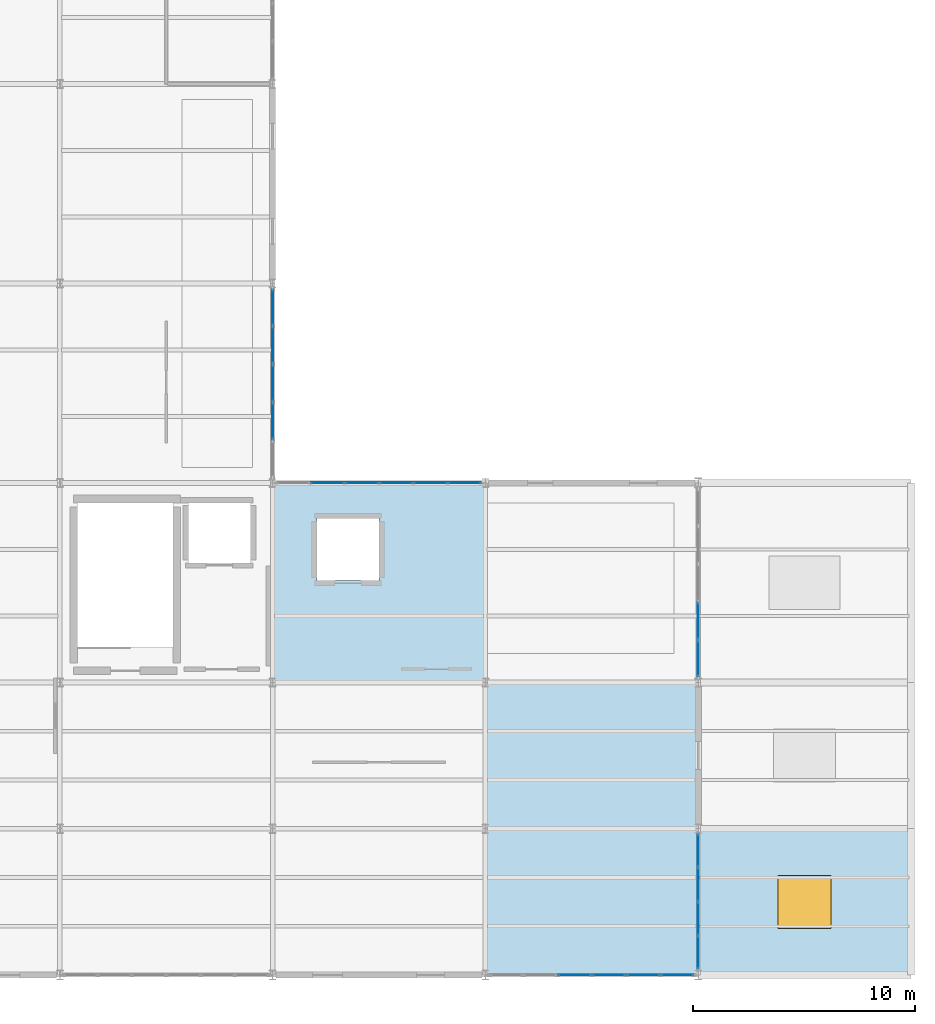
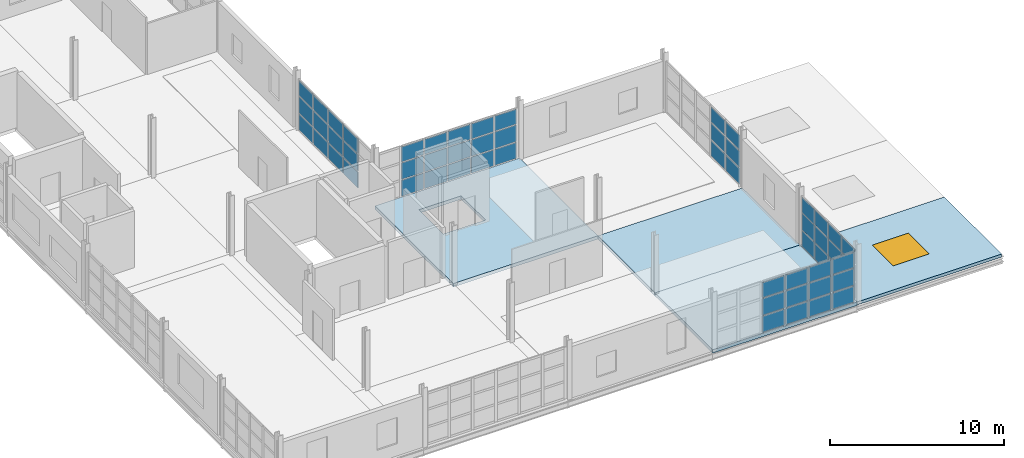
# One storey, part 11 of 15: 57 plates, 4 slabs, 1 window, 1 opening, 5 elements without a shape of their own.
"""IFC4 building model written with IfcOpenShell, lengths in metres."""

from ifc_helpers import new_model, si_unit, direction, frame, origin, origin_2d, place, context, subcontext, project, spatial, polyline, rectangle, outline, extrude, material, layer, layer_set, type_object, element, fill, aggregate, save


model = new_model("IFC4")

# Units and contexts
model_context = context("Model", 3, precision=1e-05, world=origin(), true_north=direction((0.0, 1.0)))
body_context = subcontext(model_context, "Body", "Model", "MODEL_VIEW")
ifc_project = project(units=[si_unit("LENGTHUNIT", "METRE"), si_unit("AREAUNIT", "SQUARE_METRE"), si_unit("VOLUMEUNIT", "CUBIC_METRE"), si_unit("PLANEANGLEUNIT", "RADIAN"), si_unit("MASSUNIT", "GRAM", prefix="KILO")], contexts=[model_context])

# Site, building, storey
site_placement = place(None, origin())
site = spatial("IfcSite", under=ifc_project, at=site_placement, CompositionType="ELEMENT")
building_placement = place(site_placement, origin())
building = spatial("IfcBuilding", under=site, at=building_placement, Name="Zarnetskaya Central Station", CompositionType="ELEMENT")
storey_placement = place(building_placement, frame((0.0, 0.0, 22.800048828125)))
storey = spatial("IfcBuildingStorey", under=building, at=storey_placement, Name="L05", CompositionType="ELEMENT", Elevation=22.800048828125)

# Curtain wall, plates
ifc_material_1 = material(Name="Low-E insulated glass", Category="glass")
ifc_layer_1 = layer(ifc_material_1, 0.1640625, Name="Low-E insulated glass", Category="glass")
ifc_layer_set_1 = layer_set([ifc_layer_1], Name="Low-E insulated glass")
curtain_wall_type_1 = type_object("IfcCurtainWallType", Name="CW-SYS-07", PredefinedType="USERDEFINED", material=ifc_layer_set_1)
curtain_wall_1_placement = place(storey_placement, origin())
curtain_wall_1 = element("IfcCurtainWall", 1, at=curtain_wall_1_placement, inside=storey, type_object=curtain_wall_type_1, Name="Curtain wall CW-L05-070", ObjectType="CURTAIN WALL", PredefinedType="USERDEFINED")
ifc_layer_2 = layer(ifc_material_1, 0.028076171875, Name="Low-E insulated glass", Category="glass")
ifc_layer_set_2 = layer_set([ifc_layer_2], Name="Low-E insulated glass")
plate_type_1 = type_object("IfcPlateType", Name="CW-PAN-28", PredefinedType="CURTAIN_PANEL", material=ifc_layer_set_2)
plate_1_placement = place(storey_placement, frame((38.39990234375, 15.972412109375, 0.079833984375), z_axis=(0.0, 0.0, 1.0), x_axis=(0.0, -1.0, 0.0)))
plate_1 = element("IfcPlate", 2, at=plate_1_placement, type_object=plate_type_1, Name="CW-06 panel 4.1", PredefinedType="CURTAIN_PANEL", context=body_context, shape_type="SweptSolid", body=[
    extrude(rectangle(XDim=1.635009765625, YDim=0.028076171875, at=origin_2d()), origin(), (0.0, 0.0, 1.0), 1.10400390625),
])
plate_2_placement = place(storey_placement, frame((38.39990234375, 15.972412109375, 1.263916015625), z_axis=(0.0, 0.0, 1.0), x_axis=(0.0, -1.0, 0.0)))
plate_2 = element("IfcPlate", 3, at=plate_2_placement, type_object=plate_type_1, Name="CW-06 panel 4.2", PredefinedType="CURTAIN_PANEL", context=body_context, shape_type="SweptSolid", body=[
    extrude(rectangle(XDim=1.635009765625, YDim=0.028076171875, at=origin_2d()), origin(), (0.0, 0.0, 1.0), 1.14404296875),
])
plate_3_placement = place(storey_placement, frame((38.39990234375, 15.972412109375, 2.48779296875), z_axis=(0.0, 0.0, 1.0), x_axis=(0.0, -1.0, 0.0)))
plate_3 = element("IfcPlate", 4, at=plate_3_placement, type_object=plate_type_1, Name="CW-06 panel 4.3", PredefinedType="CURTAIN_PANEL", context=body_context, shape_type="SweptSolid", body=[
    extrude(rectangle(XDim=1.635009765625, YDim=0.028076171875, at=origin_2d()), origin(), (0.0, 0.0, 1.0), 1.031982421875),
])
plate_4_placement = place(storey_placement, frame((38.39990234375, 14.277587890625, 0.079833984375), z_axis=(0.0, 0.0, 1.0), x_axis=(0.0, -1.0, 0.0)))
plate_4 = element("IfcPlate", 5, at=plate_4_placement, type_object=plate_type_1, Name="CW-06 panel 5.1", PredefinedType="CURTAIN_PANEL", context=body_context, shape_type="SweptSolid", body=[
    extrude(rectangle(XDim=1.594970703125, YDim=0.028076171875, at=origin_2d()), origin(), (0.0, 0.0, 1.0), 1.10400390625),
])
plate_5_placement = place(storey_placement, frame((38.39990234375, 14.277587890625, 1.263916015625), z_axis=(0.0, 0.0, 1.0), x_axis=(0.0, -1.0, 0.0)))
plate_5 = element("IfcPlate", 6, at=plate_5_placement, type_object=plate_type_1, Name="CW-06 panel 5.2", PredefinedType="CURTAIN_PANEL", context=body_context, shape_type="SweptSolid", body=[
    extrude(rectangle(XDim=1.594970703125, YDim=0.028076171875, at=origin_2d()), origin(), (0.0, 0.0, 1.0), 1.14404296875),
])
plate_6_placement = place(storey_placement, frame((38.39990234375, 14.277587890625, 2.48779296875), z_axis=(0.0, 0.0, 1.0), x_axis=(0.0, -1.0, 0.0)))
plate_6 = element("IfcPlate", 7, at=plate_6_placement, type_object=plate_type_1, Name="CW-06 panel 5.3", PredefinedType="CURTAIN_PANEL", context=body_context, shape_type="SweptSolid", body=[
    extrude(rectangle(XDim=1.594970703125, YDim=0.028076171875, at=origin_2d()), origin(), (0.0, 0.0, 1.0), 1.031982421875),
])
aggregate(curtain_wall_1, [plate_1, plate_2, plate_3, plate_4, plate_5, plate_6])

ifc_layer_3 = layer(ifc_material_1, 0.172119140625, Name="Low-E insulated glass", Category="glass")
ifc_layer_set_3 = layer_set([ifc_layer_3], Name="Low-E insulated glass")
curtain_wall_type_2 = type_object("IfcCurtainWallType", Name="CW-SYS-09", PredefinedType="USERDEFINED", material=ifc_layer_set_3)
curtain_wall_2_placement = place(storey_placement, origin())
curtain_wall_2 = element("IfcCurtainWall", 8, at=curtain_wall_2_placement, inside=storey, type_object=curtain_wall_type_2, Name="Curtain wall CW-L05-071", ObjectType="CURTAIN WALL", PredefinedType="USERDEFINED")
ifc_layer_4 = layer(ifc_material_1, 0.031982421875, Name="Low-E insulated glass", Category="glass")
ifc_layer_set_4 = layer_set([ifc_layer_4], Name="Low-E insulated glass")
plate_type_2 = type_object("IfcPlateType", Name="CW-PAN-32", PredefinedType="CURTAIN_PANEL", material=ifc_layer_set_4)
plate_7_placement = place(storey_placement, frame((38.39990234375, 5.610595703125, 0.06982421875), z_axis=(0.0, 0.0, 1.0), x_axis=(0.0, -1.0, 0.0)))
plate_7 = element("IfcPlate", 9, at=plate_7_placement, type_object=plate_type_2, Name="CW-07 panel 1.1", PredefinedType="CURTAIN_PANEL", context=body_context, shape_type="SweptSolid", body=[
    extrude(rectangle(XDim=1.438720703125, YDim=0.031982421875, at=origin_2d()), origin(), (0.0, 0.0, 1.0), 1.118896484375),
])
plate_8_placement = place(storey_placement, frame((38.39990234375, 5.610595703125, 1.2587890625), z_axis=(0.0, 0.0, 1.0), x_axis=(0.0, -1.0, 0.0)))
plate_8 = element("IfcPlate", 10, at=plate_8_placement, type_object=plate_type_2, Name="CW-07 panel 1.2", PredefinedType="CURTAIN_PANEL", context=body_context, shape_type="SweptSolid", body=[
    extrude(rectangle(XDim=1.438720703125, YDim=0.031982421875, at=origin_2d()), origin(), (0.0, 0.0, 1.0), 1.154052734375),
])
plate_9_placement = place(storey_placement, frame((38.39990234375, 5.610595703125, 2.48291015625), z_axis=(0.0, 0.0, 1.0), x_axis=(0.0, -1.0, 0.0)))
plate_9 = element("IfcPlate", 11, at=plate_9_placement, type_object=plate_type_2, Name="CW-07 panel 1.3", PredefinedType="CURTAIN_PANEL", context=body_context, shape_type="SweptSolid", body=[
    extrude(rectangle(XDim=1.438720703125, YDim=0.031982421875, at=origin_2d()), origin(), (0.0, 0.0, 1.0), 1.047119140625),
])
plate_10_placement = place(storey_placement, frame((38.39990234375, 4.08447265625, 0.06982421875), z_axis=(0.0, 0.0, 1.0), x_axis=(0.0, -1.0, 0.0)))
plate_10 = element("IfcPlate", 12, at=plate_10_placement, type_object=plate_type_2, Name="CW-07 panel 2.1", PredefinedType="CURTAIN_PANEL", context=body_context, shape_type="SweptSolid", body=[
    extrude(rectangle(XDim=1.4736328125, YDim=0.031982421875, at=origin_2d()), origin(), (0.0, 0.0, 1.0), 1.118896484375),
])
plate_11_placement = place(storey_placement, frame((38.39990234375, 4.08447265625, 1.2587890625), z_axis=(0.0, 0.0, 1.0), x_axis=(0.0, -1.0, 0.0)))
plate_11 = element("IfcPlate", 13, at=plate_11_placement, type_object=plate_type_2, Name="CW-07 panel 2.2", PredefinedType="CURTAIN_PANEL", context=body_context, shape_type="SweptSolid", body=[
    extrude(rectangle(XDim=1.4736328125, YDim=0.031982421875, at=origin_2d()), origin(), (0.0, 0.0, 1.0), 1.154052734375),
])
plate_12_placement = place(storey_placement, frame((38.39990234375, 4.08447265625, 2.48291015625), z_axis=(0.0, 0.0, 1.0), x_axis=(0.0, -1.0, 0.0)))
plate_12 = element("IfcPlate", 14, at=plate_12_placement, type_object=plate_type_2, Name="CW-07 panel 2.3", PredefinedType="CURTAIN_PANEL", context=body_context, shape_type="SweptSolid", body=[
    extrude(rectangle(XDim=1.4736328125, YDim=0.031982421875, at=origin_2d()), origin(), (0.0, 0.0, 1.0), 1.047119140625),
])
plate_13_placement = place(storey_placement, frame((38.39990234375, 2.54052734375, 0.06982421875), z_axis=(0.0, 0.0, 1.0), x_axis=(0.0, -1.0, 0.0)))
plate_13 = element("IfcPlate", 15, at=plate_13_placement, type_object=plate_type_2, Name="CW-07 panel 3.1", PredefinedType="CURTAIN_PANEL", context=body_context, shape_type="SweptSolid", body=[
    extrude(rectangle(XDim=1.4736328125, YDim=0.031982421875, at=origin_2d()), origin(), (0.0, 0.0, 1.0), 1.118896484375),
])
plate_14_placement = place(storey_placement, frame((38.39990234375, 2.54052734375, 1.2587890625), z_axis=(0.0, 0.0, 1.0), x_axis=(0.0, -1.0, 0.0)))
plate_14 = element("IfcPlate", 16, at=plate_14_placement, type_object=plate_type_2, Name="CW-07 panel 3.2", PredefinedType="CURTAIN_PANEL", context=body_context, shape_type="SweptSolid", body=[
    extrude(rectangle(XDim=1.4736328125, YDim=0.031982421875, at=origin_2d()), origin(), (0.0, 0.0, 1.0), 1.154052734375),
])
plate_15_placement = place(storey_placement, frame((38.39990234375, 2.54052734375, 2.48291015625), z_axis=(0.0, 0.0, 1.0), x_axis=(0.0, -1.0, 0.0)))
plate_15 = element("IfcPlate", 17, at=plate_15_placement, type_object=plate_type_2, Name="CW-07 panel 3.3", PredefinedType="CURTAIN_PANEL", context=body_context, shape_type="SweptSolid", body=[
    extrude(rectangle(XDim=1.4736328125, YDim=0.031982421875, at=origin_2d()), origin(), (0.0, 0.0, 1.0), 1.047119140625),
])
plate_16_placement = place(storey_placement, frame((38.39990234375, 1.014404296875, 0.06982421875), z_axis=(0.0, 0.0, 1.0), x_axis=(0.0, -1.0, 0.0)))
plate_16 = element("IfcPlate", 18, at=plate_16_placement, type_object=plate_type_2, Name="CW-07 panel 4.1", PredefinedType="CURTAIN_PANEL", context=body_context, shape_type="SweptSolid", body=[
    extrude(rectangle(XDim=1.438720703125, YDim=0.031982421875, at=origin_2d()), origin(), (0.0, 0.0, 1.0), 1.118896484375),
])
plate_17_placement = place(storey_placement, frame((38.39990234375, 1.014404296875, 1.2587890625), z_axis=(0.0, 0.0, 1.0), x_axis=(0.0, -1.0, 0.0)))
plate_17 = element("IfcPlate", 19, at=plate_17_placement, type_object=plate_type_2, Name="CW-07 panel 4.2", PredefinedType="CURTAIN_PANEL", context=body_context, shape_type="SweptSolid", body=[
    extrude(rectangle(XDim=1.438720703125, YDim=0.031982421875, at=origin_2d()), origin(), (0.0, 0.0, 1.0), 1.154052734375),
])
plate_18_placement = place(storey_placement, frame((38.39990234375, 1.014404296875, 2.48291015625), z_axis=(0.0, 0.0, 1.0), x_axis=(0.0, -1.0, 0.0)))
plate_18 = element("IfcPlate", 20, at=plate_18_placement, type_object=plate_type_2, Name="CW-07 panel 4.3", PredefinedType="CURTAIN_PANEL", context=body_context, shape_type="SweptSolid", body=[
    extrude(rectangle(XDim=1.438720703125, YDim=0.031982421875, at=origin_2d()), origin(), (0.0, 0.0, 1.0), 1.047119140625),
])
aggregate(curtain_wall_2, [plate_7, plate_8, plate_9, plate_10, plate_11, plate_12, plate_13, plate_14, plate_15, plate_16, plate_17, plate_18])

curtain_wall_3_placement = place(storey_placement, origin())
curtain_wall_3 = element("IfcCurtainWall", 21, at=curtain_wall_3_placement, inside=storey, type_object=curtain_wall_type_1, Name="Curtain wall CW-L05-072", ObjectType="CURTAIN WALL", PredefinedType="USERDEFINED")
ifc_layer_5 = layer(ifc_material_1, 0.035888671875, Name="Low-E insulated glass", Category="glass")
ifc_layer_set_5 = layer_set([ifc_layer_5], Name="Low-E insulated glass")
plate_type_3 = type_object("IfcPlateType", Name="CW-PAN-36", PredefinedType="CURTAIN_PANEL", material=ifc_layer_set_5)
plate_19_placement = place(storey_placement, frame((37.455078125, 0.0, 0.080078125), z_axis=(0.0, 0.0, 1.0), x_axis=(-1.0, 0.0, 0.0)))
plate_19 = element("IfcPlate", 22, at=plate_19_placement, type_object=plate_type_3, Name="CW-06 panel 1.1", PredefinedType="CURTAIN_PANEL", context=body_context, shape_type="SweptSolid", body=[
    extrude(rectangle(XDim=1.429931640625, YDim=0.035888671875, at=origin_2d()), origin(), (0.0, 0.0, 1.0), 1.117919921875),
])
plate_20_placement = place(storey_placement, frame((37.455078125, 0.0, 1.27783203125), z_axis=(0.0, 0.0, 1.0), x_axis=(-1.0, 0.0, 0.0)))
plate_20 = element("IfcPlate", 23, at=plate_20_placement, type_object=plate_type_3, Name="CW-06 panel 1.2", PredefinedType="CURTAIN_PANEL", context=body_context, shape_type="SweptSolid", body=[
    extrude(rectangle(XDim=1.429931640625, YDim=0.035888671875, at=origin_2d()), origin(), (0.0, 0.0, 1.0), 1.156982421875),
])
plate_21_placement = place(storey_placement, frame((37.455078125, 0.0, 2.514892578125), z_axis=(0.0, 0.0, 1.0), x_axis=(-1.0, 0.0, 0.0)))
plate_21 = element("IfcPlate", 24, at=plate_21_placement, type_object=plate_type_3, Name="CW-06 panel 1.3", PredefinedType="CURTAIN_PANEL", context=body_context, shape_type="SweptSolid", body=[
    extrude(rectangle(XDim=1.429931640625, YDim=0.035888671875, at=origin_2d()), origin(), (0.0, 0.0, 1.0), 1.044921875),
])
plate_22_placement = place(storey_placement, frame((35.925048828125, 0.0, 0.080078125), z_axis=(0.0, 0.0, 1.0), x_axis=(-1.0, 0.0, 0.0)))
plate_22 = element("IfcPlate", 25, at=plate_22_placement, type_object=plate_type_3, Name="CW-06 panel 2.1", PredefinedType="CURTAIN_PANEL", context=body_context, shape_type="SweptSolid", body=[
    extrude(rectangle(XDim=1.469970703125, YDim=0.035888671875, at=origin_2d()), origin(), (0.0, 0.0, 1.0), 1.117919921875),
])
plate_23_placement = place(storey_placement, frame((35.925048828125, 0.0, 1.27783203125), z_axis=(0.0, 0.0, 1.0), x_axis=(-1.0, 0.0, 0.0)))
plate_23 = element("IfcPlate", 26, at=plate_23_placement, type_object=plate_type_3, Name="CW-06 panel 2.2", PredefinedType="CURTAIN_PANEL", context=body_context, shape_type="SweptSolid", body=[
    extrude(rectangle(XDim=1.469970703125, YDim=0.035888671875, at=origin_2d()), origin(), (0.0, 0.0, 1.0), 1.156982421875),
])
plate_24_placement = place(storey_placement, frame((35.925048828125, 0.0, 2.514892578125), z_axis=(0.0, 0.0, 1.0), x_axis=(-1.0, 0.0, 0.0)))
plate_24 = element("IfcPlate", 27, at=plate_24_placement, type_object=plate_type_3, Name="CW-06 panel 2.3", PredefinedType="CURTAIN_PANEL", context=body_context, shape_type="SweptSolid", body=[
    extrude(rectangle(XDim=1.469970703125, YDim=0.035888671875, at=origin_2d()), origin(), (0.0, 0.0, 1.0), 1.044921875),
])
plate_25_placement = place(storey_placement, frame((34.375, 0.0, 0.080078125), z_axis=(0.0, 0.0, 1.0), x_axis=(-1.0, 0.0, 0.0)))
plate_25 = element("IfcPlate", 28, at=plate_25_placement, type_object=plate_type_3, Name="CW-06 panel 3.1", PredefinedType="CURTAIN_PANEL", context=body_context, shape_type="SweptSolid", body=[
    extrude(rectangle(XDim=1.469970703125, YDim=0.035888671875, at=origin_2d()), origin(), (0.0, 0.0, 1.0), 1.117919921875),
])
plate_26_placement = place(storey_placement, frame((34.375, 0.0, 1.27783203125), z_axis=(0.0, 0.0, 1.0), x_axis=(-1.0, 0.0, 0.0)))
plate_26 = element("IfcPlate", 29, at=plate_26_placement, type_object=plate_type_3, Name="CW-06 panel 3.2", PredefinedType="CURTAIN_PANEL", context=body_context, shape_type="SweptSolid", body=[
    extrude(rectangle(XDim=1.469970703125, YDim=0.035888671875, at=origin_2d()), origin(), (0.0, 0.0, 1.0), 1.156982421875),
])
plate_27_placement = place(storey_placement, frame((34.375, 0.0, 2.514892578125), z_axis=(0.0, 0.0, 1.0), x_axis=(-1.0, 0.0, 0.0)))
plate_27 = element("IfcPlate", 30, at=plate_27_placement, type_object=plate_type_3, Name="CW-06 panel 3.3", PredefinedType="CURTAIN_PANEL", context=body_context, shape_type="SweptSolid", body=[
    extrude(rectangle(XDim=1.469970703125, YDim=0.035888671875, at=origin_2d()), origin(), (0.0, 0.0, 1.0), 1.044921875),
])
plate_28_placement = place(storey_placement, frame((32.824951171875, 0.0, 0.080078125), z_axis=(0.0, 0.0, 1.0), x_axis=(-1.0, 0.0, 0.0)))
plate_28 = element("IfcPlate", 31, at=plate_28_placement, type_object=plate_type_3, Name="CW-06 panel 4.1", PredefinedType="CURTAIN_PANEL", context=body_context, shape_type="SweptSolid", body=[
    extrude(rectangle(XDim=1.469970703125, YDim=0.035888671875, at=origin_2d()), origin(), (0.0, 0.0, 1.0), 1.117919921875),
])
plate_29_placement = place(storey_placement, frame((32.824951171875, 0.0, 1.27783203125), z_axis=(0.0, 0.0, 1.0), x_axis=(-1.0, 0.0, 0.0)))
plate_29 = element("IfcPlate", 32, at=plate_29_placement, type_object=plate_type_3, Name="CW-06 panel 4.2", PredefinedType="CURTAIN_PANEL", context=body_context, shape_type="SweptSolid", body=[
    extrude(rectangle(XDim=1.469970703125, YDim=0.035888671875, at=origin_2d()), origin(), (0.0, 0.0, 1.0), 1.156982421875),
])
plate_30_placement = place(storey_placement, frame((32.824951171875, 0.0, 2.514892578125), z_axis=(0.0, 0.0, 1.0), x_axis=(-1.0, 0.0, 0.0)))
plate_30 = element("IfcPlate", 33, at=plate_30_placement, type_object=plate_type_3, Name="CW-06 panel 4.3", PredefinedType="CURTAIN_PANEL", context=body_context, shape_type="SweptSolid", body=[
    extrude(rectangle(XDim=1.469970703125, YDim=0.035888671875, at=origin_2d()), origin(), (0.0, 0.0, 1.0), 1.044921875),
])
aggregate(curtain_wall_3, [plate_19, plate_20, plate_21, plate_22, plate_23, plate_24, plate_25, plate_26, plate_27, plate_28, plate_29, plate_30])

curtain_wall_4_placement = place(storey_placement, origin())
curtain_wall_4 = element("IfcCurtainWall", 34, at=curtain_wall_4_placement, inside=storey, type_object=curtain_wall_type_2, Name="Curtain wall CW-L05-068", ObjectType="CURTAIN WALL", PredefinedType="USERDEFINED")
ifc_layer_6 = layer(ifc_material_1, 0.0400390625, Name="Low-E insulated glass", Category="glass")
ifc_layer_set_6 = layer_set([ifc_layer_6], Name="Low-E insulated glass")
plate_type_4 = type_object("IfcPlateType", Name="CW-PAN-40", PredefinedType="CURTAIN_PANEL", material=ifc_layer_set_6)
plate_31_placement = place(storey_placement, frame((19.199951171875, 30.1201171875, 0.079833984375), z_axis=(0.0, 0.0, 1.0), x_axis=(0.0, -1.0, 0.0)))
plate_31 = element("IfcPlate", 35, at=plate_31_placement, type_object=plate_type_4, Name="CW-07 panel 1.1", PredefinedType="CURTAIN_PANEL", context=body_context, shape_type="SweptSolid", body=[
    extrude(rectangle(XDim=1.60009765625, YDim=0.0400390625, at=origin_2d()), origin(), (0.0, 0.0, 1.0), 1.10400390625),
])
plate_32_placement = place(storey_placement, frame((19.199951171875, 30.1201171875, 1.263916015625), z_axis=(0.0, 0.0, 1.0), x_axis=(0.0, -1.0, 0.0)))
plate_32 = element("IfcPlate", 36, at=plate_32_placement, type_object=plate_type_4, Name="CW-07 panel 1.2", PredefinedType="CURTAIN_PANEL", context=body_context, shape_type="SweptSolid", body=[
    extrude(rectangle(XDim=1.60009765625, YDim=0.0400390625, at=origin_2d()), origin(), (0.0, 0.0, 1.0), 1.14404296875),
])
plate_33_placement = place(storey_placement, frame((19.199951171875, 30.1201171875, 2.48779296875), z_axis=(0.0, 0.0, 1.0), x_axis=(0.0, -1.0, 0.0)))
plate_33 = element("IfcPlate", 37, at=plate_33_placement, type_object=plate_type_4, Name="CW-07 panel 1.3", PredefinedType="CURTAIN_PANEL", context=body_context, shape_type="SweptSolid", body=[
    extrude(rectangle(XDim=1.60009765625, YDim=0.0400390625, at=origin_2d()), origin(), (0.0, 0.0, 1.0), 1.031982421875),
])
plate_34_placement = place(storey_placement, frame((19.199951171875, 28.419921875, 0.079833984375), z_axis=(0.0, 0.0, 1.0), x_axis=(0.0, -1.0, 0.0)))
plate_34 = element("IfcPlate", 38, at=plate_34_placement, type_object=plate_type_4, Name="CW-07 panel 2.1", PredefinedType="CURTAIN_PANEL", context=body_context, shape_type="SweptSolid", body=[
    extrude(rectangle(XDim=1.639892578125, YDim=0.0400390625, at=origin_2d()), origin(), (0.0, 0.0, 1.0), 1.10400390625),
])
plate_35_placement = place(storey_placement, frame((19.199951171875, 28.419921875, 1.263916015625), z_axis=(0.0, 0.0, 1.0), x_axis=(0.0, -1.0, 0.0)))
plate_35 = element("IfcPlate", 39, at=plate_35_placement, type_object=plate_type_4, Name="CW-07 panel 2.2", PredefinedType="CURTAIN_PANEL", context=body_context, shape_type="SweptSolid", body=[
    extrude(rectangle(XDim=1.639892578125, YDim=0.0400390625, at=origin_2d()), origin(), (0.0, 0.0, 1.0), 1.14404296875),
])
plate_36_placement = place(storey_placement, frame((19.199951171875, 28.419921875, 2.48779296875), z_axis=(0.0, 0.0, 1.0), x_axis=(0.0, -1.0, 0.0)))
plate_36 = element("IfcPlate", 40, at=plate_36_placement, type_object=plate_type_4, Name="CW-07 panel 2.3", PredefinedType="CURTAIN_PANEL", context=body_context, shape_type="SweptSolid", body=[
    extrude(rectangle(XDim=1.639892578125, YDim=0.0400390625, at=origin_2d()), origin(), (0.0, 0.0, 1.0), 1.031982421875),
])
plate_37_placement = place(storey_placement, frame((19.199951171875, 26.699951171875, 0.079833984375), z_axis=(0.0, 0.0, 1.0), x_axis=(0.0, -1.0, 0.0)))
plate_37 = element("IfcPlate", 41, at=plate_37_placement, type_object=plate_type_4, Name="CW-07 panel 3.1", PredefinedType="CURTAIN_PANEL", context=body_context, shape_type="SweptSolid", body=[
    extrude(rectangle(XDim=1.639892578125, YDim=0.0400390625, at=origin_2d()), origin(), (0.0, 0.0, 1.0), 1.10400390625),
])
plate_38_placement = place(storey_placement, frame((19.199951171875, 26.699951171875, 1.263916015625), z_axis=(0.0, 0.0, 1.0), x_axis=(0.0, -1.0, 0.0)))
plate_38 = element("IfcPlate", 42, at=plate_38_placement, type_object=plate_type_4, Name="CW-07 panel 3.2", PredefinedType="CURTAIN_PANEL", context=body_context, shape_type="SweptSolid", body=[
    extrude(rectangle(XDim=1.639892578125, YDim=0.0400390625, at=origin_2d()), origin(), (0.0, 0.0, 1.0), 1.14404296875),
])
plate_39_placement = place(storey_placement, frame((19.199951171875, 26.699951171875, 2.48779296875), z_axis=(0.0, 0.0, 1.0), x_axis=(0.0, -1.0, 0.0)))
plate_39 = element("IfcPlate", 43, at=plate_39_placement, type_object=plate_type_4, Name="CW-07 panel 3.3", PredefinedType="CURTAIN_PANEL", context=body_context, shape_type="SweptSolid", body=[
    extrude(rectangle(XDim=1.639892578125, YDim=0.0400390625, at=origin_2d()), origin(), (0.0, 0.0, 1.0), 1.031982421875),
])
plate_40_placement = place(storey_placement, frame((19.199951171875, 24.97998046875, 0.079833984375), z_axis=(0.0, 0.0, 1.0), x_axis=(0.0, -1.0, 0.0)))
plate_40 = element("IfcPlate", 44, at=plate_40_placement, type_object=plate_type_4, Name="CW-07 panel 4.1", PredefinedType="CURTAIN_PANEL", context=body_context, shape_type="SweptSolid", body=[
    extrude(rectangle(XDim=1.639892578125, YDim=0.0400390625, at=origin_2d()), origin(), (0.0, 0.0, 1.0), 1.10400390625),
])
plate_41_placement = place(storey_placement, frame((19.199951171875, 24.97998046875, 1.263916015625), z_axis=(0.0, 0.0, 1.0), x_axis=(0.0, -1.0, 0.0)))
plate_41 = element("IfcPlate", 45, at=plate_41_placement, type_object=plate_type_4, Name="CW-07 panel 4.2", PredefinedType="CURTAIN_PANEL", context=body_context, shape_type="SweptSolid", body=[
    extrude(rectangle(XDim=1.639892578125, YDim=0.0400390625, at=origin_2d()), origin(), (0.0, 0.0, 1.0), 1.14404296875),
])
plate_42_placement = place(storey_placement, frame((19.199951171875, 24.97998046875, 2.48779296875), z_axis=(0.0, 0.0, 1.0), x_axis=(0.0, -1.0, 0.0)))
plate_42 = element("IfcPlate", 46, at=plate_42_placement, type_object=plate_type_4, Name="CW-07 panel 4.3", PredefinedType="CURTAIN_PANEL", context=body_context, shape_type="SweptSolid", body=[
    extrude(rectangle(XDim=1.639892578125, YDim=0.0400390625, at=origin_2d()), origin(), (0.0, 0.0, 1.0), 1.031982421875),
])
aggregate(curtain_wall_4, [plate_31, plate_32, plate_33, plate_34, plate_35, plate_36, plate_37, plate_38, plate_39, plate_40, plate_41, plate_42])

curtain_wall_5_placement = place(storey_placement, origin())
curtain_wall_5 = element("IfcCurtainWall", 47, at=curtain_wall_5_placement, inside=storey, type_object=curtain_wall_type_1, Name="Curtain wall CW-L05-069", ObjectType="CURTAIN WALL", PredefinedType="USERDEFINED")
ifc_layer_7 = layer(ifc_material_1, 0.0439453125, Name="Low-E insulated glass", Category="glass")
ifc_layer_set_7 = layer_set([ifc_layer_7], Name="Low-E insulated glass")
plate_type_5 = type_object("IfcPlateType", Name="CW-PAN-44", PredefinedType="CURTAIN_PANEL", material=ifc_layer_set_7)
plate_43_placement = place(storey_placement, frame((21.675048828125, 22.199951171875, 0.06982421875), z_axis=(0.0, 0.0, 1.0), x_axis=(1.0, 0.0, 0.0)))
plate_43 = element("IfcPlate", 48, at=plate_43_placement, type_object=plate_type_5, Name="CW-06 panel 2.1", PredefinedType="CURTAIN_PANEL", context=body_context, shape_type="SweptSolid", body=[
    extrude(rectangle(XDim=1.47998046875, YDim=0.0439453125, at=origin_2d()), origin(), (0.0, 0.0, 1.0), 1.118896484375),
])
plate_44_placement = place(storey_placement, frame((21.675048828125, 22.199951171875, 1.2587890625), z_axis=(0.0, 0.0, 1.0), x_axis=(1.0, 0.0, 0.0)))
plate_44 = element("IfcPlate", 49, at=plate_44_placement, type_object=plate_type_5, Name="CW-06 panel 2.2", PredefinedType="CURTAIN_PANEL", context=body_context, shape_type="SweptSolid", body=[
    extrude(rectangle(XDim=1.47998046875, YDim=0.0439453125, at=origin_2d()), origin(), (0.0, 0.0, 1.0), 1.154052734375),
])
plate_45_placement = place(storey_placement, frame((21.675048828125, 22.199951171875, 2.48291015625), z_axis=(0.0, 0.0, 1.0), x_axis=(1.0, 0.0, 0.0)))
plate_45 = element("IfcPlate", 50, at=plate_45_placement, type_object=plate_type_5, Name="CW-06 panel 2.3", PredefinedType="CURTAIN_PANEL", context=body_context, shape_type="SweptSolid", body=[
    extrude(rectangle(XDim=1.47998046875, YDim=0.0439453125, at=origin_2d()), origin(), (0.0, 0.0, 1.0), 1.047119140625),
])
plate_46_placement = place(storey_placement, frame((23.22509765625, 22.199951171875, 0.06982421875), z_axis=(0.0, 0.0, 1.0), x_axis=(1.0, 0.0, 0.0)))
plate_46 = element("IfcPlate", 51, at=plate_46_placement, type_object=plate_type_5, Name="CW-06 panel 3.1", PredefinedType="CURTAIN_PANEL", context=body_context, shape_type="SweptSolid", body=[
    extrude(rectangle(XDim=1.47998046875, YDim=0.0439453125, at=origin_2d()), origin(), (0.0, 0.0, 1.0), 1.118896484375),
])
plate_47_placement = place(storey_placement, frame((23.22509765625, 22.199951171875, 1.2587890625), z_axis=(0.0, 0.0, 1.0), x_axis=(1.0, 0.0, 0.0)))
plate_47 = element("IfcPlate", 52, at=plate_47_placement, type_object=plate_type_5, Name="CW-06 panel 3.2", PredefinedType="CURTAIN_PANEL", context=body_context, shape_type="SweptSolid", body=[
    extrude(rectangle(XDim=1.47998046875, YDim=0.0439453125, at=origin_2d()), origin(), (0.0, 0.0, 1.0), 1.154052734375),
])
plate_48_placement = place(storey_placement, frame((23.22509765625, 22.199951171875, 2.48291015625), z_axis=(0.0, 0.0, 1.0), x_axis=(1.0, 0.0, 0.0)))
plate_48 = element("IfcPlate", 53, at=plate_48_placement, type_object=plate_type_5, Name="CW-06 panel 3.3", PredefinedType="CURTAIN_PANEL", context=body_context, shape_type="SweptSolid", body=[
    extrude(rectangle(XDim=1.47998046875, YDim=0.0439453125, at=origin_2d()), origin(), (0.0, 0.0, 1.0), 1.047119140625),
])
plate_49_placement = place(storey_placement, frame((24.77490234375, 22.199951171875, 0.06982421875), z_axis=(0.0, 0.0, 1.0), x_axis=(1.0, 0.0, 0.0)))
plate_49 = element("IfcPlate", 54, at=plate_49_placement, type_object=plate_type_5, Name="CW-06 panel 4.1", PredefinedType="CURTAIN_PANEL", context=body_context, shape_type="SweptSolid", body=[
    extrude(rectangle(XDim=1.47998046875, YDim=0.0439453125, at=origin_2d()), origin(), (0.0, 0.0, 1.0), 1.118896484375),
])
plate_50_placement = place(storey_placement, frame((24.77490234375, 22.199951171875, 1.2587890625), z_axis=(0.0, 0.0, 1.0), x_axis=(1.0, 0.0, 0.0)))
plate_50 = element("IfcPlate", 55, at=plate_50_placement, type_object=plate_type_5, Name="CW-06 panel 4.2", PredefinedType="CURTAIN_PANEL", context=body_context, shape_type="SweptSolid", body=[
    extrude(rectangle(XDim=1.47998046875, YDim=0.0439453125, at=origin_2d()), origin(), (0.0, 0.0, 1.0), 1.154052734375),
])
plate_51_placement = place(storey_placement, frame((24.77490234375, 22.199951171875, 2.48291015625), z_axis=(0.0, 0.0, 1.0), x_axis=(1.0, 0.0, 0.0)))
plate_51 = element("IfcPlate", 56, at=plate_51_placement, type_object=plate_type_5, Name="CW-06 panel 4.3", PredefinedType="CURTAIN_PANEL", context=body_context, shape_type="SweptSolid", body=[
    extrude(rectangle(XDim=1.47998046875, YDim=0.0439453125, at=origin_2d()), origin(), (0.0, 0.0, 1.0), 1.047119140625),
])
plate_52_placement = place(storey_placement, frame((26.324951171875, 22.199951171875, 0.06982421875), z_axis=(0.0, 0.0, 1.0), x_axis=(1.0, 0.0, 0.0)))
plate_52 = element("IfcPlate", 57, at=plate_52_placement, type_object=plate_type_5, Name="CW-06 panel 5.1", PredefinedType="CURTAIN_PANEL", context=body_context, shape_type="SweptSolid", body=[
    extrude(rectangle(XDim=1.47998046875, YDim=0.0439453125, at=origin_2d()), origin(), (0.0, 0.0, 1.0), 1.118896484375),
])
plate_53_placement = place(storey_placement, frame((26.324951171875, 22.199951171875, 1.2587890625), z_axis=(0.0, 0.0, 1.0), x_axis=(1.0, 0.0, 0.0)))
plate_53 = element("IfcPlate", 58, at=plate_53_placement, type_object=plate_type_5, Name="CW-06 panel 5.2", PredefinedType="CURTAIN_PANEL", context=body_context, shape_type="SweptSolid", body=[
    extrude(rectangle(XDim=1.47998046875, YDim=0.0439453125, at=origin_2d()), origin(), (0.0, 0.0, 1.0), 1.154052734375),
])
plate_54_placement = place(storey_placement, frame((26.324951171875, 22.199951171875, 2.48291015625), z_axis=(0.0, 0.0, 1.0), x_axis=(1.0, 0.0, 0.0)))
plate_54 = element("IfcPlate", 59, at=plate_54_placement, type_object=plate_type_5, Name="CW-06 panel 5.3", PredefinedType="CURTAIN_PANEL", context=body_context, shape_type="SweptSolid", body=[
    extrude(rectangle(XDim=1.47998046875, YDim=0.0439453125, at=origin_2d()), origin(), (0.0, 0.0, 1.0), 1.047119140625),
])
plate_55_placement = place(storey_placement, frame((27.857421875, 22.199951171875, 0.06982421875), z_axis=(0.0, 0.0, 1.0), x_axis=(1.0, 0.0, 0.0)))
plate_55 = element("IfcPlate", 60, at=plate_55_placement, type_object=plate_type_5, Name="CW-06 panel 6.1", PredefinedType="CURTAIN_PANEL", context=body_context, shape_type="SweptSolid", body=[
    extrude(rectangle(XDim=1.445068359375, YDim=0.0439453125, at=origin_2d()), origin(), (0.0, 0.0, 1.0), 1.118896484375),
])
plate_56_placement = place(storey_placement, frame((27.857421875, 22.199951171875, 1.2587890625), z_axis=(0.0, 0.0, 1.0), x_axis=(1.0, 0.0, 0.0)))
plate_56 = element("IfcPlate", 61, at=plate_56_placement, type_object=plate_type_5, Name="CW-06 panel 6.2", PredefinedType="CURTAIN_PANEL", context=body_context, shape_type="SweptSolid", body=[
    extrude(rectangle(XDim=1.445068359375, YDim=0.0439453125, at=origin_2d()), origin(), (0.0, 0.0, 1.0), 1.154052734375),
])
plate_57_placement = place(storey_placement, frame((27.857421875, 22.199951171875, 2.48291015625), z_axis=(0.0, 0.0, 1.0), x_axis=(1.0, 0.0, 0.0)))
plate_57 = element("IfcPlate", 62, at=plate_57_placement, type_object=plate_type_5, Name="CW-06 panel 6.3", PredefinedType="CURTAIN_PANEL", context=body_context, shape_type="SweptSolid", body=[
    extrude(rectangle(XDim=1.445068359375, YDim=0.0439453125, at=origin_2d()), origin(), (0.0, 0.0, 1.0), 1.047119140625),
])
aggregate(curtain_wall_5, [plate_43, plate_44, plate_45, plate_46, plate_47, plate_48, plate_49, plate_50, plate_51, plate_52, plate_53, plate_54, plate_55, plate_56, plate_57])

# Slab, opening, window
ifc_material_2 = material(Name="Concrete C30/37", Category="concrete")
ifc_layer_8 = layer(ifc_material_2, 0.2099609375, Name="Concrete C30/37", Category="concrete")
ifc_layer_set_8 = layer_set([ifc_layer_8], Name="Concrete C30/37")
slab_type_1 = type_object("IfcSlabType", Name="ROOF-FLAT-210", PredefinedType="ROOF", material=ifc_layer_set_8)
slab_1_placement = place(storey_placement, frame((0.0, 0.0, -0.2099609375)))
slab_1 = element("IfcSlab", 63, at=slab_1_placement, inside=storey, type_object=slab_type_1, Name="L05 slab E-F/1-2", PredefinedType="ROOF", context=body_context, shape_type="SweptSolid", body=[
    extrude(outline(polyline([(38.39990234375, 0.0), (48.0, 0.0), (48.0, 6.60009765625), (38.39990234375, 6.60009765625), (38.39990234375, 0.0)])), origin(), (0.0, 0.0, 1.0), 0.2099609375),
])
opening_placement = place(slab_1_placement, frame((43.199951171875, 3.300048828125, 0.0)))
opening = element("IfcOpeningElement", 64, at=opening_placement, cuts=slab_1, Name="Opening SK-06", PredefinedType="OPENING", context=body_context, shape_type="SweptSolid", body=[
    extrude(rectangle(XDim=2.39990234375, YDim=2.39990234375, at=origin_2d()), frame((0.0, 0.0, -0.010009765625)), (0.0, 0.0, 1.0), 0.22998046875),
])
window_type = type_object("IfcWindowType", Name="SKY-01", PartitioningType="SINGLE_PANEL", PredefinedType="SKYLIGHT", material=ifc_material_1)
window_placement = place(opening_placement, frame((0.0, 0.0, 0.159912109375)))
window = element("IfcWindow", 65, at=window_placement, inside=storey, type_object=window_type, Name="Insulated roof skylight 01", OverallHeight=2.39990234375, OverallWidth=2.39990234375, PartitioningType="SINGLE_PANEL", PredefinedType="SKYLIGHT", context=body_context, shape_type="SweptSolid", body=[
    extrude(rectangle(XDim=2.39990234375, YDim=2.39990234375, at=origin_2d()), origin(), (0.0, 0.0, 1.0), 0.050048828125),
])
fill(opening, window)

# Slabs
ifc_layer_9 = layer(ifc_material_2, 0.239990234375, Name="Concrete C30/37", Category="concrete")
ifc_layer_set_9 = layer_set([ifc_layer_9], Name="Concrete C30/37")
slab_type_2 = type_object("IfcSlabType", Name="SLAB-UPP-240", PredefinedType="FLOOR", material=ifc_layer_set_9)
slab_2_placement = place(storey_placement, frame((0.0, 0.0, -0.239990234375)))
element("IfcSlab", 66, at=slab_2_placement, inside=storey, type_object=slab_type_2, Name="L05 slab C-D/3-4", PredefinedType="FLOOR", context=body_context, shape_type="SweptSolid", body=[
    extrude(outline(polyline([(19.199951171875, 13.199951171875), (28.800048828125, 13.199951171875), (28.800048828125, 22.199951171875), (19.199951171875, 22.199951171875), (19.199951171875, 13.199951171875)]), holes=[polyline([(21.199951171875, 17.800048828125), (24.0, 17.800048828125), (24.0, 20.60009765625), (21.199951171875, 20.60009765625), (21.199951171875, 17.800048828125)])]), origin(), (0.0, 0.0, 1.0), 0.239990234375),
])
slab_3_placement = place(storey_placement, frame((0.0, 0.0, -0.239990234375)))
element("IfcSlab", 67, at=slab_3_placement, inside=storey, type_object=slab_type_2, Name="L05 slab D-E/1-2", PredefinedType="FLOOR", context=body_context, shape_type="SweptSolid", body=[
    extrude(outline(polyline([(28.800048828125, 0.0), (38.39990234375, 0.0), (38.39990234375, 6.60009765625), (28.800048828125, 6.60009765625), (28.800048828125, 0.0)])), origin(), (0.0, 0.0, 1.0), 0.239990234375),
])
slab_4_placement = place(storey_placement, frame((0.0, 0.0, -0.239990234375)))
element("IfcSlab", 68, at=slab_4_placement, inside=storey, type_object=slab_type_2, Name="L05 slab D-E/2-3", PredefinedType="FLOOR", context=body_context, shape_type="SweptSolid", body=[
    extrude(outline(polyline([(28.800048828125, 6.60009765625), (38.39990234375, 6.60009765625), (38.39990234375, 13.199951171875), (28.800048828125, 13.199951171875), (28.800048828125, 6.60009765625)])), origin(), (0.0, 0.0, 1.0), 0.239990234375),
])

save(model, "model.ifc")
